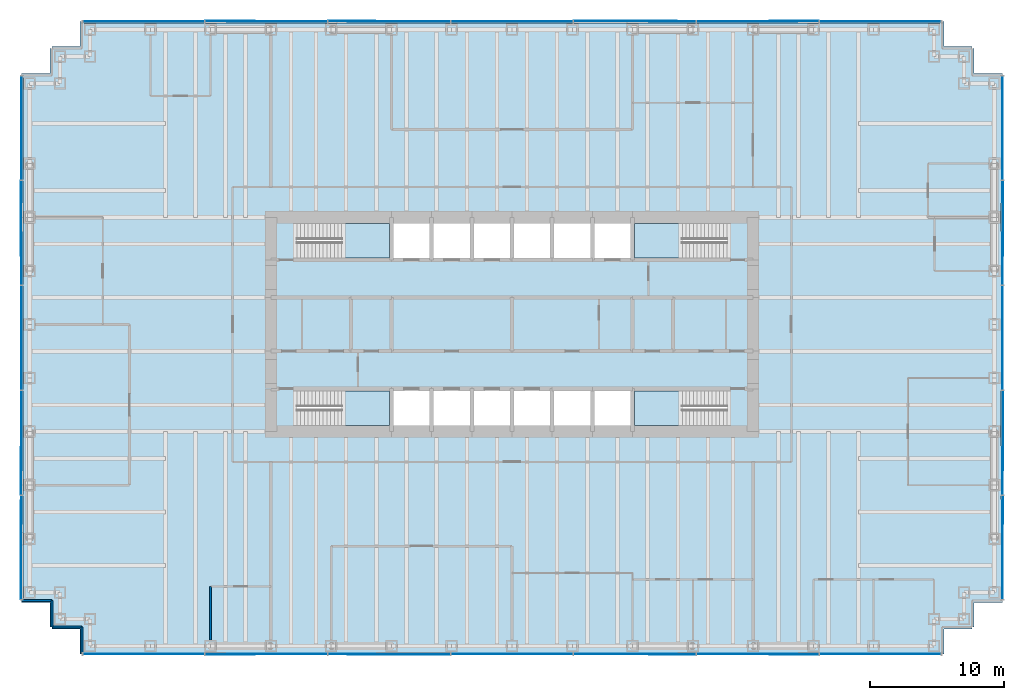
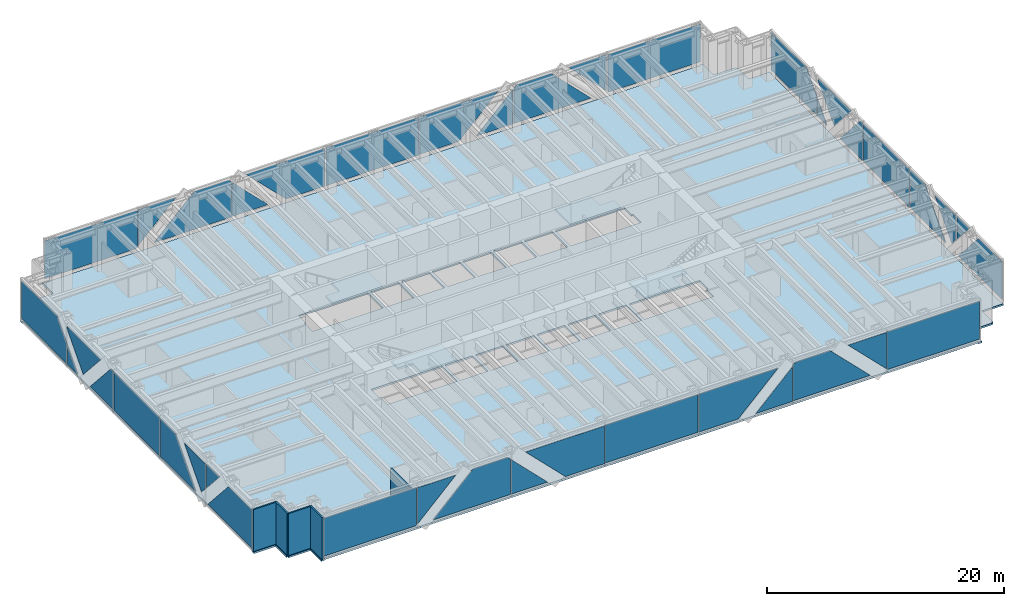
# One storey, part 8 of 13: 40 plates, 5 slabs, 5 walls, 8 elements without a shape of their own.
"""IFC4 building model written with IfcOpenShell, lengths in metres."""

import ifcopenshell
import ifcopenshell.guid

model = None  # the IFC model being written
_history = None  # IfcOwnerHistory: only IFC2X3 demands one
_inside = {}  # id of a spatial element -> (the spatial element, [elements in it])
_under = {}  # id of a project, library or spatial element -> (it, [spatial elements below it])
_declared = {}  # id of a project -> (the project, [libraries it declares])
_typed = {}  # id of a type object -> (the type object, [elements of that type])
_made_of = {}  # id of a material, layer set ... -> (it, [elements and type objects made of it])


def new_model(schema):
    """Start an empty IFC model of exactly this schema.

    Asked for "IFC4X3", IfcOpenShell would pick the latest addendum, in which some entities
    have other attributes; the version numbers below select the first issue.
    IFC2X3 requires an IfcOwnerHistory on every rooted entity: one is made here for all.
    """
    global model, _history
    if schema == "IFC4X3":
        model = ifcopenshell.file(schema_version=(4, 3, 0, 0))
    else:
        model = ifcopenshell.file(schema=schema)
    _inside.clear()
    _under.clear()
    _declared.clear()
    _typed.clear()
    _made_of.clear()
    _history = None
    if model.schema == "IFC2X3":
        org = make("IfcOrganization", Name="unknown")
        user = make(
            "IfcPersonAndOrganization",
            ThePerson=make("IfcPerson", FamilyName="unknown"),
            TheOrganization=org,
        )
        app = make(
            "IfcApplication",
            ApplicationDeveloper=org,
            Version="unknown",
            ApplicationFullName="unknown",
            ApplicationIdentifier="unknown",
        )
        _history = make(
            "IfcOwnerHistory",
            OwningUser=user,
            OwningApplication=app,
            ChangeAction="ADDED",
            CreationDate=0,
        )
    return model


def make(cls, **values):
    """One entity of the class cls with the attributes given. An attribute that is None is left unset."""
    return model.create_entity(
        cls, **{name: value for name, value in values.items() if value is not None}
    )


def rooted(cls, **values):
    """An entity with a GlobalId (a new one), such as an element, a storey or a relation."""
    return make(cls, GlobalId=ifcopenshell.guid.new(), OwnerHistory=_history, **values)


def si_unit(unit_type, name, prefix=None):
    """IfcSIUnit, for example si_unit("LENGTHUNIT", "METRE", prefix="MILLI")."""
    return make("IfcSIUnit", UnitType=unit_type, Prefix=prefix, Name=name)


def assignment(units):
    """IfcUnitAssignment: the units of a project."""
    return None if units is None else make("IfcUnitAssignment", Units=units)


def point(xyz):
    """IfcCartesianPoint."""
    return None if xyz is None else make("IfcCartesianPoint", Coordinates=xyz)


def direction(xyz):
    """IfcDirection."""
    return None if xyz is None else make("IfcDirection", DirectionRatios=xyz)


def frame(location, z_axis=None, x_axis=None):
    """IfcAxis2Placement3D, a coordinate frame: its origin and axes. An axis left out is left unset."""
    return make(
        "IfcAxis2Placement3D",
        Location=point(location),
        Axis=direction(z_axis),
        RefDirection=direction(x_axis),
    )


def frame_2d(location, x_axis=None):
    """IfcAxis2Placement2D, a coordinate frame in the plane: its origin and x axis."""
    return make(
        "IfcAxis2Placement2D", Location=point(location), RefDirection=direction(x_axis)
    )


def origin():
    """The frame at (0, 0, 0) with its axes left unset."""
    return frame((0.0, 0.0, 0.0))


def origin_2d():
    """The frame at (0, 0) in the plane with its x axis left unset."""
    return frame_2d((0.0, 0.0))


def place(relative_to, where):
    """IfcLocalPlacement: puts the frame where relative to a parent placement (None: the world)."""
    return make(
        "IfcLocalPlacement", PlacementRelTo=relative_to, RelativePlacement=where
    )


def context(
    kind, dimensions, precision=None, world=None, true_north=None, identifier=None
):
    """IfcGeometricRepresentationContext, for example the 3D "Model" context."""
    return make(
        "IfcGeometricRepresentationContext",
        ContextIdentifier=identifier,
        ContextType=kind,
        CoordinateSpaceDimension=dimensions,
        Precision=precision,
        WorldCoordinateSystem=world,
        TrueNorth=true_north,
    )


def subcontext(parent, identifier, kind, view, scale=None):
    """IfcGeometricRepresentationSubContext, for example "Body" below "Model"."""
    return make(
        "IfcGeometricRepresentationSubContext",
        ContextIdentifier=identifier,
        ContextType=kind,
        ParentContext=parent,
        TargetScale=scale,
        TargetView=view,
    )


def project(units=None, contexts=None):
    """IfcProject with its units and contexts."""
    return rooted(
        "IfcProject",
        Name="project",
        RepresentationContexts=contexts,
        UnitsInContext=assignment(units),
    )


def spatial(cls, under=None, at=None, **own):
    """A site, building, storey or space (cls), placed at a placement, below another one or the project."""
    s = rooted(cls, ObjectPlacement=at, **own)
    if under is not None:
        _under.setdefault(under.id(), (under, []))[1].append(s)
    return s


def polyline(points):
    """IfcPolyline through the points."""
    return make("IfcPolyline", Points=[point(p) for p in points])


def profile(cls, at=None, kind="AREA", **sizes):
    """A parametric profile (cls). Its sizes go by their IFC names, for example OverallWidth=200.0."""
    return make(cls, ProfileType=kind, Position=at, **sizes)


def rectangle(**sizes):
    """IfcRectangleProfileDef."""
    return profile("IfcRectangleProfileDef", **sizes)


def outline(outer, holes=None, kind="AREA"):
    """IfcArbitraryClosedProfileDef: a profile drawn as a closed curve; with holes, ...WithVoids."""
    if holes is None:
        return make("IfcArbitraryClosedProfileDef", ProfileType=kind, OuterCurve=outer)
    return make(
        "IfcArbitraryProfileDefWithVoids",
        ProfileType=kind,
        OuterCurve=outer,
        InnerCurves=holes,
    )


def extrude(swept, where, along, depth):
    """IfcExtrudedAreaSolid: the profile swept, set in the frame where, extruded along a direction by depth."""
    return make(
        "IfcExtrudedAreaSolid",
        SweptArea=swept,
        Position=where,
        ExtrudedDirection=direction(along),
        Depth=depth,
    )


def shape(context_of_items, identifier, shape_type, items):
    """IfcShapeRepresentation: the items that make up one representation, for example the "Body"."""
    return make(
        "IfcShapeRepresentation",
        ContextOfItems=context_of_items,
        RepresentationIdentifier=identifier,
        RepresentationType=shape_type,
        Items=items,
    )


def material(Name=None, Category=None):
    """IfcMaterial."""
    return make("IfcMaterial", Name=Name, Category=Category)


def layer(
    of_material, thickness, ventilated=None, Name=None, Category=None, Priority=None
):
    """IfcMaterialLayer: one layer of a wall or slab, of a material (None: an air gap)."""
    return make(
        "IfcMaterialLayer",
        Material=of_material,
        LayerThickness=thickness,
        IsVentilated=ventilated,
        Name=Name,
        Category=Category,
        Priority=Priority,
    )


def layer_set(layers, Name=None):
    """IfcMaterialLayerSet."""
    return make("IfcMaterialLayerSet", MaterialLayers=layers, LayerSetName=Name)


def made_of(thing, what):
    """Note that an element or type object is made of a material, layer set ...; save() writes the relation."""
    if what is not None:
        _made_of.setdefault(what.id(), (what, []))[1].append(thing)
    return thing


def type_object(cls, material=None, **own):
    """A type object (cls), such as IfcWallType, which elements share."""
    return made_of(rooted(cls, **own), material)


def element(
    cls,
    number,
    at=None,
    inside=None,
    cuts=None,
    type_object=None,
    material=None,
    context=None,
    identifier="Body",
    shape_type=None,
    held_by="IfcProductDefinitionShape",
    body=None,
    shapes=None,
    **own,
):
    """One element of the class cls, such as IfcWall. Its Tag is "e" and its number.

    at: its placement. inside: the storey or other place that contains it. cuts: it is an
    opening in that element (IfcRelVoidsElement). A single representation is given by context,
    identifier, shape_type and body (its items); several are given by shapes. held_by: the class
    of the entity that holds the representations. save() writes the other relations.
    """
    e = rooted(cls, Tag="e%d" % number, ObjectPlacement=at, **own)
    if body is not None:
        shapes = [shape(context, identifier, shape_type, body)]
    if shapes is not None:
        e.Representation = make(held_by, Representations=shapes)
    if inside is not None:
        _inside.setdefault(inside.id(), (inside, []))[1].append(e)
    if cuts is not None:
        rooted(
            "IfcRelVoidsElement", RelatingBuildingElement=cuts, RelatedOpeningElement=e
        )
    if type_object is not None:
        _typed.setdefault(type_object.id(), (type_object, []))[1].append(e)
    return made_of(e, material)


def aggregate(whole, parts):
    """IfcRelAggregates: a whole, such as a stair, and the parts it consists of."""
    return rooted("IfcRelAggregates", RelatingObject=whole, RelatedObjects=parts)


def save(model, path):
    """Write the relations noted so far, then the file.

    IfcRelAggregates (storeys below a building ...), IfcRelContainedInSpatialStructure (elements
    in a storey), IfcRelDefinesByType, IfcRelAssociatesMaterial and IfcRelDeclares: one each for
    every whole, place, type object, material and project.
    """
    for whole, parts in _under.values():
        aggregate(whole, parts)
    for where, things in _inside.values():
        rooted(
            "IfcRelContainedInSpatialStructure",
            RelatedElements=things,
            RelatingStructure=where,
        )
    for kind, things in _typed.values():
        rooted("IfcRelDefinesByType", RelatedObjects=things, RelatingType=kind)
    for what, things in _made_of.values():
        rooted("IfcRelAssociatesMaterial", RelatedObjects=things, RelatingMaterial=what)
    for by, libraries in _declared.values():
        rooted("IfcRelDeclares", RelatingContext=by, RelatedDefinitions=libraries)
    model.write(path)


model = new_model("IFC4")

# Units and contexts
model_context = context("Model", 3, precision=1e-05, world=origin(), true_north=direction((0.0, 1.0)))
body_context = subcontext(model_context, "Body", "Model", "MODEL_VIEW")
ifc_project = project(units=[si_unit("LENGTHUNIT", "METRE"), si_unit("AREAUNIT", "SQUARE_METRE"), si_unit("VOLUMEUNIT", "CUBIC_METRE"), si_unit("PLANEANGLEUNIT", "RADIAN"), si_unit("MASSUNIT", "GRAM", prefix="KILO")], contexts=[model_context])

# Site, building, storey
site_placement = place(None, origin())
site = spatial("IfcSite", under=ifc_project, at=site_placement, CompositionType="ELEMENT")
building_placement = place(site_placement, origin())
building = spatial("IfcBuilding", under=site, at=building_placement, Name="Rheinbord Bourse Tower", CompositionType="ELEMENT")
storey_placement = place(building_placement, frame((0.0, 0.0, 72.5)))
storey = spatial("IfcBuildingStorey", under=building, at=storey_placement, Name="L15", CompositionType="ELEMENT", Elevation=72.5)

# Slab
ifc_material_1 = material(Name="Concrete C30/37", Category="concrete")
ifc_layer_1 = layer(ifc_material_1, 0.179931640625)
ifc_layer_set_1 = layer_set([ifc_layer_1], Name="COMPOSITE FLOOR SLAB 180")
slab_type_1 = type_object("IfcSlabType", Name="COMPOSITE FLOOR SLAB 180", PredefinedType="FLOOR", material=ifc_layer_set_1)
slab_1_placement = place(storey_placement, frame((0.0, 0.0, -0.179931640625)))
element("IfcSlab", 1, at=slab_1_placement, inside=storey, type_object=slab_type_1, Name="Floor slab L15", PredefinedType="FLOOR", context=body_context, shape_type="SweptSolid", body=[
    extrude(outline(polyline([(1.64990234375, 1.39990234375), (1.5, 1.39990234375), (1.5, 3.25), (-0.60009765625, 3.25), (-0.60009765625, 3.550048828125), (-0.5, 3.550048828125), (-0.5, 42.449951171875), (-0.60009765625, 42.449951171875), (-0.60009765625, 42.75), (1.5, 42.75), (1.5, 44.60009765625), (1.64990234375, 44.60009765625), (1.64990234375, 44.75), (3.75, 44.75), (3.75, 46.60009765625), (4.050048828125, 46.60009765625), (4.050048828125, 46.5), (67.949951171875, 46.5), (67.949951171875, 46.60009765625), (68.25, 46.60009765625), (68.25, 44.75), (70.35009765625, 44.75), (70.35009765625, 44.60009765625), (70.5, 44.60009765625), (70.5, 42.75), (72.60009765625, 42.75), (72.60009765625, 42.449951171875), (72.5, 42.449951171875), (72.5, 3.550048828125), (72.60009765625, 3.550048828125), (72.60009765625, 3.25), (70.5, 3.25), (70.5, 1.39990234375), (70.35009765625, 1.39990234375), (70.35009765625, 1.25), (68.25, 1.25), (68.25, -0.60009765625), (67.949951171875, -0.60009765625), (67.949951171875, -0.5), (4.050048828125, -0.5), (4.050048828125, -0.60009765625), (3.75, -0.60009765625), (3.75, 1.25), (1.64990234375, 1.25), (1.64990234375, 1.39990234375)]), holes=[polyline([(19.949951171875, 19.050048828125), (26.85009765625, 19.050048828125), (26.85009765625, 16.449951171875), (20.10009765625, 16.449951171875), (20.10009765625, 17.64990234375), (19.949951171875, 17.64990234375), (19.949951171875, 19.050048828125)]), polyline([(26.85009765625, 31.550048828125), (26.85009765625, 28.949951171875), (19.949951171875, 28.949951171875), (19.949951171875, 30.35009765625), (20.10009765625, 30.35009765625), (20.10009765625, 31.550048828125), (26.85009765625, 31.550048828125)]), polyline([(45.14990234375, 16.449951171875), (45.14990234375, 19.050048828125), (52.050048828125, 19.050048828125), (52.050048828125, 17.64990234375), (51.89990234375, 17.64990234375), (51.89990234375, 16.449951171875), (45.14990234375, 16.449951171875)]), polyline([(52.050048828125, 28.949951171875), (45.14990234375, 28.949951171875), (45.14990234375, 31.550048828125), (51.89990234375, 31.550048828125), (51.89990234375, 30.35009765625), (52.050048828125, 30.35009765625), (52.050048828125, 28.949951171875)]), polyline([(27.14990234375, 16.449951171875), (27.14990234375, 19.050048828125), (29.85009765625, 19.050048828125), (29.85009765625, 16.449951171875), (27.14990234375, 16.449951171875)]), polyline([(27.14990234375, 28.949951171875), (27.14990234375, 31.550048828125), (29.85009765625, 31.550048828125), (29.85009765625, 28.949951171875), (27.14990234375, 28.949951171875)]), polyline([(30.14990234375, 16.449951171875), (30.14990234375, 19.050048828125), (32.85009765625, 19.050048828125), (32.85009765625, 16.449951171875), (30.14990234375, 16.449951171875)]), polyline([(30.14990234375, 28.949951171875), (30.14990234375, 31.550048828125), (32.85009765625, 31.550048828125), (32.85009765625, 28.949951171875), (30.14990234375, 28.949951171875)]), polyline([(33.14990234375, 16.449951171875), (33.14990234375, 19.050048828125), (35.85009765625, 19.050048828125), (35.85009765625, 16.449951171875), (33.14990234375, 16.449951171875)]), polyline([(33.14990234375, 28.949951171875), (33.14990234375, 31.550048828125), (35.85009765625, 31.550048828125), (35.85009765625, 28.949951171875), (33.14990234375, 28.949951171875)]), polyline([(36.14990234375, 16.449951171875), (36.14990234375, 19.050048828125), (38.85009765625, 19.050048828125), (38.85009765625, 16.449951171875), (36.14990234375, 16.449951171875)]), polyline([(36.14990234375, 28.949951171875), (36.14990234375, 31.550048828125), (38.85009765625, 31.550048828125), (38.85009765625, 28.949951171875), (36.14990234375, 28.949951171875)]), polyline([(39.14990234375, 16.449951171875), (39.14990234375, 19.050048828125), (41.85009765625, 19.050048828125), (41.85009765625, 16.449951171875), (39.14990234375, 16.449951171875)]), polyline([(39.14990234375, 28.949951171875), (39.14990234375, 31.550048828125), (41.85009765625, 31.550048828125), (41.85009765625, 28.949951171875), (39.14990234375, 28.949951171875)]), polyline([(42.14990234375, 16.449951171875), (42.14990234375, 19.050048828125), (44.85009765625, 19.050048828125), (44.85009765625, 16.449951171875), (42.14990234375, 16.449951171875)]), polyline([(42.14990234375, 28.949951171875), (42.14990234375, 31.550048828125), (44.85009765625, 31.550048828125), (44.85009765625, 28.949951171875), (42.14990234375, 28.949951171875)])]), origin(), (0.0, 0.0, 1.0), 0.179931640625),
])

# Curtain wall, plates
ifc_material_2 = material(Name="Dark glass and black aluminium", Category="aluminium")
curtain_wall_type = type_object("IfcCurtainWallType", Name="CW1 DARK GLASS CURTAIN WALL", PredefinedType="USERDEFINED", material=ifc_material_2)
curtain_wall_1_placement = place(storey_placement, origin())
curtain_wall_1 = element("IfcCurtainWall", 2, at=curtain_wall_1_placement, inside=storey, type_object=curtain_wall_type, Name="Curtain wall CW1 S L15", ObjectType="UNITISED CURTAIN WALL", PredefinedType="USERDEFINED")
ifc_material_3 = material(Name="Dark tinted triple insulating glass", Category="glass")
ifc_layer_2 = layer(ifc_material_3, 0.0439453125)
ifc_layer_set_2 = layer_set([ifc_layer_2], Name="CW1 DARK GLASS PANEL")
plate_type = type_object("IfcPlateType", Name="CW1 DARK GLASS PANEL", PredefinedType="CURTAIN_PANEL", material=ifc_layer_set_2)
plate_1_placement = place(storey_placement, frame((36.0, -0.60009765625, 0.300048828125), z_axis=(0.0, 0.0, 1.0), x_axis=(1.0, 0.0, 0.0)))
plate_1 = element("IfcPlate", 3, at=plate_1_placement, type_object=plate_type, Name="CW1 panel 4.1", PredefinedType="CURTAIN_PANEL", context=body_context, shape_type="SweptSolid", body=[
    extrude(rectangle(XDim=9.09130859375, YDim=0.0439453125, at=origin_2d()), origin(), (0.0, 0.0, 1.0), 3.89990234375),
])
plate_2_placement = place(storey_placement, frame((3.97998046875, -0.6220703125, 0.300048828125), z_axis=(0.0, 1.0, 0.0), x_axis=(0.0, 0.0, 1.0)))
plate_2 = element("IfcPlate", 4, at=plate_2_placement, type_object=plate_type, Name="CW1 glass facet 1", PredefinedType="CURTAIN_PANEL", context=body_context, shape_type="SweptSolid", body=[
    extrude(outline(polyline([(0.0, 0.0), (3.89990234375, 0.0), (3.89990234375, 9.051025390625), (0.0869140625, 9.051025390625), (0.0, 8.964111328125), (0.0, 0.0)])), origin(), (0.0, 0.0, 1.0), 0.0439453125),
])
plate_3_placement = place(storey_placement, frame((13.111083984375, -0.6708984375, 4.199951171875), z_axis=(0.0, 1.0, 0.0), x_axis=(1.0, 0.0, 0.0)))
plate_3 = element("IfcPlate", 5, at=plate_3_placement, type_object=plate_type, Name="CW1 glass facet 1", PredefinedType="CURTAIN_PANEL", context=body_context, shape_type="SweptSolid", body=[
    extrude(outline(polyline([(0.0, 0.0), (3.73291015625, 0.0), (0.0, 3.73291015625), (0.0, 0.0)])), origin(), (0.0, 0.0, 1.0), 0.0439453125),
])
plate_4_placement = place(storey_placement, frame((22.202880859375, -0.6220703125, 0.300048828125), z_axis=(0.0, 1.0, 0.0), x_axis=(-1.0, 0.0, 0.0)))
plate_4 = element("IfcPlate", 6, at=plate_4_placement, type_object=plate_type, Name="CW1 glass facet 2", PredefinedType="CURTAIN_PANEL", context=body_context, shape_type="SweptSolid", body=[
    extrude(outline(polyline([(0.0, 0.0), (7.546875, 0.0), (3.64697265625, 3.89990234375), (0.2587890625, 3.89990234375), (0.0, 3.641845703125), (0.0, 0.0)])), origin(), (0.0, 0.0, 1.0), 0.0439453125),
])
plate_5_placement = place(storey_placement, frame((22.282958984375, -0.6220703125, 0.300048828125), z_axis=(0.0, 1.0, 0.0), x_axis=(0.0, 0.0, 1.0)))
plate_5 = element("IfcPlate", 7, at=plate_5_placement, type_object=plate_type, Name="CW1 glass facet 1", PredefinedType="CURTAIN_PANEL", context=body_context, shape_type="SweptSolid", body=[
    extrude(outline(polyline([(0.0, 0.0), (3.56201171875, 0.0), (0.0, 3.56103515625), (0.0, 0.0)])), origin(), (0.0, 0.0, 1.0), 0.0439453125),
])
plate_6_placement = place(storey_placement, frame((31.3740234375, -0.6708984375, 4.199951171875), z_axis=(0.0, 1.0, 0.0), x_axis=(0.0, 0.0, -1.0)))
plate_6 = element("IfcPlate", 8, at=plate_6_placement, type_object=plate_type, Name="CW1 glass facet 2", PredefinedType="CURTAIN_PANEL", context=body_context, shape_type="SweptSolid", body=[
    extrude(outline(polyline([(0.0, 0.0), (3.89990234375, 0.0), (3.89990234375, 3.818115234375), (0.0, 7.718017578125), (0.0, 0.0)])), origin(), (0.0, 0.0, 1.0), 0.0439453125),
])
plate_7_placement = place(storey_placement, frame((40.6259765625, -0.6220703125, 0.300048828125), z_axis=(0.0, 1.0, 0.0), x_axis=(0.0, 0.0, 1.0)))
plate_7 = element("IfcPlate", 9, at=plate_7_placement, type_object=plate_type, Name="CW1 glass facet 1", PredefinedType="CURTAIN_PANEL", context=body_context, shape_type="SweptSolid", body=[
    extrude(outline(polyline([(0.0, 0.0), (3.89990234375, 0.0), (3.89990234375, 7.718017578125), (0.0, 3.818115234375), (0.0, 0.0)])), origin(), (0.0, 0.0, 1.0), 0.0439453125),
])
plate_8_placement = place(storey_placement, frame((49.717041015625, -0.6708984375, 0.300048828125), z_axis=(0.0, 1.0, 0.0), x_axis=(-1.0, 0.0, 0.0)))
plate_8 = element("IfcPlate", 10, at=plate_8_placement, type_object=plate_type, Name="CW1 glass facet 2", PredefinedType="CURTAIN_PANEL", context=body_context, shape_type="SweptSolid", body=[
    extrude(outline(polyline([(0.0, 0.0), (3.56103515625, 0.0), (0.0, 3.56201171875), (0.0, 0.0)])), origin(), (0.0, 0.0, 1.0), 0.0439453125),
])
plate_9_placement = place(storey_placement, frame((49.797119140625, -0.6220703125, 0.300048828125), z_axis=(0.0, 1.0, 0.0), x_axis=(0.0, 0.0, 1.0)))
plate_9 = element("IfcPlate", 11, at=plate_9_placement, type_object=plate_type, Name="CW1 glass facet 1", PredefinedType="CURTAIN_PANEL", context=body_context, shape_type="SweptSolid", body=[
    extrude(outline(polyline([(0.0, 0.0), (3.641845703125, 0.0), (3.89990234375, 0.2587890625), (3.89990234375, 3.64697265625), (0.0, 7.546875), (0.0, 0.0)])), origin(), (0.0, 0.0, 1.0), 0.0439453125),
])
plate_10_placement = place(storey_placement, frame((58.888916015625, -0.6708984375, 4.199951171875), z_axis=(0.0, 1.0, 0.0), x_axis=(0.0, 0.0, -1.0)))
plate_10 = element("IfcPlate", 12, at=plate_10_placement, type_object=plate_type, Name="CW1 glass facet 2", PredefinedType="CURTAIN_PANEL", context=body_context, shape_type="SweptSolid", body=[
    extrude(outline(polyline([(0.0, 0.0), (3.73291015625, 0.0), (0.0, 3.73291015625), (0.0, 0.0)])), origin(), (0.0, 0.0, 1.0), 0.0439453125),
])
plate_11_placement = place(storey_placement, frame((58.968994140625, -0.6220703125, 4.199951171875), z_axis=(0.0, 1.0, 0.0), x_axis=(1.0, 0.0, 0.0)))
plate_11 = element("IfcPlate", 13, at=plate_11_placement, type_object=plate_type, Name="CW1 glass facet 1", PredefinedType="CURTAIN_PANEL", context=body_context, shape_type="SweptSolid", body=[
    extrude(outline(polyline([(0.0, 0.0), (9.051025390625, 0.0), (9.051025390625, 3.89990234375), (0.0869140625, 3.89990234375), (0.0, 3.81298828125), (0.0, 0.0)])), origin(), (0.0, 0.0, 1.0), 0.0439453125),
])
aggregate(curtain_wall_1, [plate_1, plate_2, plate_3, plate_4, plate_5, plate_6, plate_7, plate_8, plate_9, plate_10, plate_11])

curtain_wall_2_placement = place(storey_placement, origin())
curtain_wall_2 = element("IfcCurtainWall", 14, at=curtain_wall_2_placement, inside=storey, type_object=curtain_wall_type, Name="Curtain wall CW1 E L15", ObjectType="UNITISED CURTAIN WALL", PredefinedType="USERDEFINED")
plate_12_placement = place(storey_placement, frame((72.60009765625, 23.0, 0.300048828125), z_axis=(0.0, 0.0, 1.0), x_axis=(0.0, 1.0, 0.0)))
plate_12 = element("IfcPlate", 15, at=plate_12_placement, type_object=plate_type, Name="CW1 panel 3.1", PredefinedType="CURTAIN_PANEL", context=body_context, shape_type="SweptSolid", body=[
    extrude(rectangle(XDim=7.760009765625, YDim=0.0439453125, at=origin_2d()), origin(), (0.0, 0.0, 1.0), 3.89990234375),
])
plate_13_placement = place(storey_placement, frame((72.6220703125, 3.47998046875, 0.300048828125), z_axis=(-1.0, 0.0, 0.0), x_axis=(0.0, 0.0, 1.0)))
plate_13 = element("IfcPlate", 16, at=plate_13_placement, type_object=plate_type, Name="CW1 glass facet 1", PredefinedType="CURTAIN_PANEL", context=body_context, shape_type="SweptSolid", body=[
    extrude(outline(polyline([(0.0, 0.0), (3.89990234375, 0.0), (3.89990234375, 3.97705078125), (0.0, 7.444091796875), (0.0, 0.0)])), origin(), (0.0, 0.0, 1.0), 0.0439453125),
])
plate_14_placement = place(storey_placement, frame((72.6708984375, 11.199951171875, 4.199951171875), z_axis=(-1.0, 0.0, 0.0), x_axis=(0.0, 0.0, -1.0)))
plate_14 = element("IfcPlate", 17, at=plate_14_placement, type_object=plate_type, Name="CW1 glass facet 2", PredefinedType="CURTAIN_PANEL", context=body_context, shape_type="SweptSolid", body=[
    extrude(outline(polyline([(0.0, 0.0), (2.388916015625, 0.0), (0.0, 2.1240234375), (0.0, 0.0)])), origin(), (0.0, 0.0, 1.0), 0.0439453125),
])
plate_15_placement = place(storey_placement, frame((72.6220703125, 11.280029296875, 4.199951171875), z_axis=(-1.0, 0.0, 0.0), x_axis=(0.0, 1.0, 0.0)))
plate_15 = element("IfcPlate", 18, at=plate_15_placement, type_object=plate_type, Name="CW1 glass facet 1", PredefinedType="CURTAIN_PANEL", context=body_context, shape_type="SweptSolid", body=[
    extrude(outline(polyline([(0.0, 0.0), (3.64404296875, 0.0), (0.719970703125, 3.2890625), (0.0, 2.47900390625), (0.0, 0.0)])), origin(), (0.0, 0.0, 1.0), 0.0439453125),
])
plate_16_placement = place(storey_placement, frame((72.6708984375, 19.0400390625, 4.199951171875), z_axis=(-1.0, 0.0, 0.0), x_axis=(0.0, 0.0, -1.0)))
plate_16 = element("IfcPlate", 19, at=plate_16_placement, type_object=plate_type, Name="CW1 glass facet 2", PredefinedType="CURTAIN_PANEL", context=body_context, shape_type="SweptSolid", body=[
    extrude(outline(polyline([(0.0, 0.0), (3.89990234375, 0.0), (3.89990234375, 5.964111328125), (0.0, 2.4970703125), (0.0, 0.0)])), origin(), (0.0, 0.0, 1.0), 0.0439453125),
])
plate_17_placement = place(storey_placement, frame((72.6220703125, 26.9599609375, 0.300048828125), z_axis=(-1.0, 0.0, 0.0), x_axis=(0.0, 0.0, 1.0)))
plate_17 = element("IfcPlate", 20, at=plate_17_placement, type_object=plate_type, Name="CW1 glass facet 1", PredefinedType="CURTAIN_PANEL", context=body_context, shape_type="SweptSolid", body=[
    extrude(outline(polyline([(0.0, 0.0), (3.89990234375, 0.0), (3.89990234375, 0.4970703125), (0.0, 3.964111328125), (0.0, 0.0)])), origin(), (0.0, 0.0, 1.0), 0.0439453125),
])
plate_18_placement = place(storey_placement, frame((72.6708984375, 34.719970703125, 4.199951171875), z_axis=(-1.0, 0.0, 0.0), x_axis=(0.0, 0.0, -1.0)))
plate_18 = element("IfcPlate", 21, at=plate_18_placement, type_object=plate_type, Name="CW1 glass facet 2", PredefinedType="CURTAIN_PANEL", context=body_context, shape_type="SweptSolid", body=[
    extrude(outline(polyline([(0.0, 0.0), (0.22900390625, 0.0), (3.2890625, 2.719970703125), (0.0, 5.64404296875), (0.0, 0.0)])), origin(), (0.0, 0.0, 1.0), 0.0439453125),
])
plate_19_placement = place(storey_placement, frame((72.6220703125, 34.719970703125, 0.300048828125), z_axis=(-1.0, 0.0, 0.0), x_axis=(0.0, -1.0, 0.0)))
plate_19 = element("IfcPlate", 22, at=plate_19_placement, type_object=plate_type, Name="CW1 glass facet 3", PredefinedType="CURTAIN_PANEL", context=body_context, shape_type="SweptSolid", body=[
    extrude(outline(polyline([(0.0, 0.0), (1.64404296875, 0.0), (0.0, 1.848876953125), (0.0, 0.0)])), origin(), (0.0, 0.0, 1.0), 0.0439453125),
])
plate_20_placement = place(storey_placement, frame((72.6220703125, 42.52001953125, 4.199951171875), z_axis=(-1.0, 0.0, 0.0), x_axis=(0.0, 0.0, -1.0)))
plate_20 = element("IfcPlate", 23, at=plate_20_placement, type_object=plate_type, Name="CW1 glass facet 1", PredefinedType="CURTAIN_PANEL", context=body_context, shape_type="SweptSolid", body=[
    extrude(outline(polyline([(0.0, 0.0), (3.89990234375, 0.0), (3.89990234375, 7.719970703125), (1.9609375, 7.719970703125), (0.0, 5.97705078125), (0.0, 0.0)])), origin(), (0.0, 0.0, 1.0), 0.0439453125),
])
aggregate(curtain_wall_2, [plate_12, plate_13, plate_14, plate_15, plate_16, plate_17, plate_18, plate_19, plate_20])

curtain_wall_3_placement = place(storey_placement, origin())
curtain_wall_3 = element("IfcCurtainWall", 24, at=curtain_wall_3_placement, inside=storey, type_object=curtain_wall_type, Name="Curtain wall CW1 N L15", ObjectType="UNITISED CURTAIN WALL", PredefinedType="USERDEFINED")
plate_21_placement = place(storey_placement, frame((36.0, 46.60009765625, 0.300048828125), z_axis=(0.0, 0.0, 1.0), x_axis=(-1.0, 0.0, 0.0)))
plate_21 = element("IfcPlate", 25, at=plate_21_placement, type_object=plate_type, Name="CW1 panel 4.1", PredefinedType="CURTAIN_PANEL", context=body_context, shape_type="SweptSolid", body=[
    extrude(rectangle(XDim=9.09130859375, YDim=0.0439453125, at=origin_2d()), origin(), (0.0, 0.0, 1.0), 3.89990234375),
])
plate_22_placement = place(storey_placement, frame((68.02001953125, 46.6220703125, 0.300048828125), z_axis=(0.0, -1.0, 0.0), x_axis=(0.0, 0.0, 1.0)))
plate_22 = element("IfcPlate", 26, at=plate_22_placement, type_object=plate_type, Name="CW1 glass facet 1", PredefinedType="CURTAIN_PANEL", context=body_context, shape_type="SweptSolid", body=[
    extrude(outline(polyline([(0.0, 0.0), (3.89990234375, 0.0), (3.89990234375, 9.051025390625), (0.0869140625, 9.051025390625), (0.0, 8.964111328125), (0.0, 0.0)])), origin(), (0.0, 0.0, 1.0), 0.0439453125),
])
plate_23_placement = place(storey_placement, frame((58.888916015625, 46.6708984375, 4.199951171875), z_axis=(0.0, -1.0, 0.0), x_axis=(-1.0, 0.0, 0.0)))
plate_23 = element("IfcPlate", 27, at=plate_23_placement, type_object=plate_type, Name="CW1 glass facet 1", PredefinedType="CURTAIN_PANEL", context=body_context, shape_type="SweptSolid", body=[
    extrude(outline(polyline([(0.0, 0.0), (3.73291015625, 0.0), (0.0, 3.73291015625), (0.0, 0.0)])), origin(), (0.0, 0.0, 1.0), 0.0439453125),
])
plate_24_placement = place(storey_placement, frame((49.797119140625, 46.6220703125, 0.300048828125), z_axis=(0.0, -1.0, 0.0), x_axis=(1.0, 0.0, 0.0)))
plate_24 = element("IfcPlate", 28, at=plate_24_placement, type_object=plate_type, Name="CW1 glass facet 2", PredefinedType="CURTAIN_PANEL", context=body_context, shape_type="SweptSolid", body=[
    extrude(outline(polyline([(0.0, 0.0), (7.546875, 0.0), (3.64697265625, 3.89990234375), (0.2587890625, 3.89990234375), (0.0, 3.641845703125), (0.0, 0.0)])), origin(), (0.0, 0.0, 1.0), 0.0439453125),
])
plate_25_placement = place(storey_placement, frame((49.717041015625, 46.6220703125, 0.300048828125), z_axis=(0.0, -1.0, 0.0), x_axis=(0.0, 0.0, 1.0)))
plate_25 = element("IfcPlate", 29, at=plate_25_placement, type_object=plate_type, Name="CW1 glass facet 1", PredefinedType="CURTAIN_PANEL", context=body_context, shape_type="SweptSolid", body=[
    extrude(outline(polyline([(0.0, 0.0), (3.56201171875, 0.0), (0.0, 3.56103515625), (0.0, 0.0)])), origin(), (0.0, 0.0, 1.0), 0.0439453125),
])
plate_26_placement = place(storey_placement, frame((40.6259765625, 46.6708984375, 4.199951171875), z_axis=(0.0, -1.0, 0.0), x_axis=(0.0, 0.0, -1.0)))
plate_26 = element("IfcPlate", 30, at=plate_26_placement, type_object=plate_type, Name="CW1 glass facet 2", PredefinedType="CURTAIN_PANEL", context=body_context, shape_type="SweptSolid", body=[
    extrude(outline(polyline([(0.0, 0.0), (3.89990234375, 0.0), (3.89990234375, 3.818115234375), (0.0, 7.718017578125), (0.0, 0.0)])), origin(), (0.0, 0.0, 1.0), 0.0439453125),
])
plate_27_placement = place(storey_placement, frame((31.3740234375, 46.6220703125, 0.300048828125), z_axis=(0.0, -1.0, 0.0), x_axis=(0.0, 0.0, 1.0)))
plate_27 = element("IfcPlate", 31, at=plate_27_placement, type_object=plate_type, Name="CW1 glass facet 1", PredefinedType="CURTAIN_PANEL", context=body_context, shape_type="SweptSolid", body=[
    extrude(outline(polyline([(0.0, 0.0), (3.89990234375, 0.0), (3.89990234375, 7.718017578125), (0.0, 3.818115234375), (0.0, 0.0)])), origin(), (0.0, 0.0, 1.0), 0.0439453125),
])
plate_28_placement = place(storey_placement, frame((22.282958984375, 46.6708984375, 0.300048828125), z_axis=(0.0, -1.0, 0.0), x_axis=(1.0, 0.0, 0.0)))
plate_28 = element("IfcPlate", 32, at=plate_28_placement, type_object=plate_type, Name="CW1 glass facet 2", PredefinedType="CURTAIN_PANEL", context=body_context, shape_type="SweptSolid", body=[
    extrude(outline(polyline([(0.0, 0.0), (3.56103515625, 0.0), (0.0, 3.56201171875), (0.0, 0.0)])), origin(), (0.0, 0.0, 1.0), 0.0439453125),
])
plate_29_placement = place(storey_placement, frame((22.202880859375, 46.6220703125, 0.300048828125), z_axis=(0.0, -1.0, 0.0), x_axis=(0.0, 0.0, 1.0)))
plate_29 = element("IfcPlate", 33, at=plate_29_placement, type_object=plate_type, Name="CW1 glass facet 1", PredefinedType="CURTAIN_PANEL", context=body_context, shape_type="SweptSolid", body=[
    extrude(outline(polyline([(0.0, 0.0), (3.641845703125, 0.0), (3.89990234375, 0.2587890625), (3.89990234375, 3.64697265625), (0.0, 7.546875), (0.0, 0.0)])), origin(), (0.0, 0.0, 1.0), 0.0439453125),
])
plate_30_placement = place(storey_placement, frame((13.111083984375, 46.6708984375, 4.199951171875), z_axis=(0.0, -1.0, 0.0), x_axis=(0.0, 0.0, -1.0)))
plate_30 = element("IfcPlate", 34, at=plate_30_placement, type_object=plate_type, Name="CW1 glass facet 2", PredefinedType="CURTAIN_PANEL", context=body_context, shape_type="SweptSolid", body=[
    extrude(outline(polyline([(0.0, 0.0), (3.73291015625, 0.0), (0.0, 3.73291015625), (0.0, 0.0)])), origin(), (0.0, 0.0, 1.0), 0.0439453125),
])
plate_31_placement = place(storey_placement, frame((13.031005859375, 46.6220703125, 4.199951171875), z_axis=(0.0, -1.0, 0.0), x_axis=(-1.0, 0.0, 0.0)))
plate_31 = element("IfcPlate", 35, at=plate_31_placement, type_object=plate_type, Name="CW1 glass facet 1", PredefinedType="CURTAIN_PANEL", context=body_context, shape_type="SweptSolid", body=[
    extrude(outline(polyline([(0.0, 0.0), (9.051025390625, 0.0), (9.051025390625, 3.89990234375), (0.0869140625, 3.89990234375), (0.0, 3.81298828125), (0.0, 0.0)])), origin(), (0.0, 0.0, 1.0), 0.0439453125),
])
aggregate(curtain_wall_3, [plate_21, plate_22, plate_23, plate_24, plate_25, plate_26, plate_27, plate_28, plate_29, plate_30, plate_31])

curtain_wall_4_placement = place(storey_placement, origin())
curtain_wall_4 = element("IfcCurtainWall", 36, at=curtain_wall_4_placement, inside=storey, type_object=curtain_wall_type, Name="Curtain wall CW1 W L15", ObjectType="UNITISED CURTAIN WALL", PredefinedType="USERDEFINED")
plate_32_placement = place(storey_placement, frame((-0.60009765625, 23.0, 0.300048828125), z_axis=(0.0, 0.0, 1.0), x_axis=(0.0, -1.0, 0.0)))
plate_32 = element("IfcPlate", 37, at=plate_32_placement, type_object=plate_type, Name="CW1 panel 3.1", PredefinedType="CURTAIN_PANEL", context=body_context, shape_type="SweptSolid", body=[
    extrude(rectangle(XDim=7.760009765625, YDim=0.0439453125, at=origin_2d()), origin(), (0.0, 0.0, 1.0), 3.89990234375),
])
plate_33_placement = place(storey_placement, frame((-0.6220703125, 34.800048828125, 0.300048828125), z_axis=(1.0, 0.0, 0.0), x_axis=(0.0, 1.0, 0.0)))
plate_33 = element("IfcPlate", 38, at=plate_33_placement, type_object=plate_type, Name="CW1 glass facet 1", PredefinedType="CURTAIN_PANEL", context=body_context, shape_type="SweptSolid", body=[
    extrude(outline(polyline([(0.0, 0.0), (7.719970703125, 0.0), (7.719970703125, 3.89990234375), (1.742919921875, 3.89990234375), (0.0, 1.93896484375), (0.0, 0.0)])), origin(), (0.0, 0.0, 1.0), 0.0439453125),
])
plate_34_placement = place(storey_placement, frame((-0.6220703125, 34.719970703125, 0.300048828125), z_axis=(1.0, 0.0, 0.0), x_axis=(0.0, 0.0, 1.0)))
plate_34 = element("IfcPlate", 39, at=plate_34_placement, type_object=plate_type, Name="CW1 glass facet 1", PredefinedType="CURTAIN_PANEL", context=body_context, shape_type="SweptSolid", body=[
    extrude(outline(polyline([(0.0, 0.0), (1.848876953125, 0.0), (0.0, 1.64404296875), (0.0, 0.0)])), origin(), (0.0, 0.0, 1.0), 0.0439453125),
])
plate_35_placement = place(storey_placement, frame((-0.6708984375, 34.719970703125, 4.199951171875), z_axis=(1.0, 0.0, 0.0), x_axis=(0.0, -1.0, 0.0)))
plate_35 = element("IfcPlate", 40, at=plate_35_placement, type_object=plate_type, Name="CW1 glass facet 2", PredefinedType="CURTAIN_PANEL", context=body_context, shape_type="SweptSolid", body=[
    extrude(outline(polyline([(0.0, 0.0), (5.64404296875, 0.0), (2.719970703125, 3.2890625), (0.0, 0.22900390625), (0.0, 0.0)])), origin(), (0.0, 0.0, 1.0), 0.0439453125),
])
plate_36_placement = place(storey_placement, frame((-0.6220703125, 26.9599609375, 4.199951171875), z_axis=(1.0, 0.0, 0.0), x_axis=(0.0, 0.0, -1.0)))
plate_36 = element("IfcPlate", 41, at=plate_36_placement, type_object=plate_type, Name="CW1 glass facet 3", PredefinedType="CURTAIN_PANEL", context=body_context, shape_type="SweptSolid", body=[
    extrude(outline(polyline([(0.0, 0.0), (3.89990234375, 0.0), (3.89990234375, 3.964111328125), (0.0, 0.4970703125), (0.0, 0.0)])), origin(), (0.0, 0.0, 1.0), 0.0439453125),
])
plate_37_placement = place(storey_placement, frame((-0.6220703125, 19.0400390625, 0.300048828125), z_axis=(1.0, 0.0, 0.0), x_axis=(0.0, 0.0, 1.0)))
plate_37 = element("IfcPlate", 42, at=plate_37_placement, type_object=plate_type, Name="CW1 glass facet 1", PredefinedType="CURTAIN_PANEL", context=body_context, shape_type="SweptSolid", body=[
    extrude(outline(polyline([(0.0, 0.0), (3.89990234375, 0.0), (3.89990234375, 2.4970703125), (0.0, 5.964111328125), (0.0, 0.0)])), origin(), (0.0, 0.0, 1.0), 0.0439453125),
])
plate_38_placement = place(storey_placement, frame((-0.6708984375, 11.280029296875, 4.199951171875), z_axis=(1.0, 0.0, 0.0), x_axis=(0.0, 0.0, -1.0)))
plate_38 = element("IfcPlate", 43, at=plate_38_placement, type_object=plate_type, Name="CW1 glass facet 2", PredefinedType="CURTAIN_PANEL", context=body_context, shape_type="SweptSolid", body=[
    extrude(outline(polyline([(0.0, 0.0), (2.47900390625, 0.0), (3.2890625, 0.719970703125), (0.0, 3.64404296875), (0.0, 0.0)])), origin(), (0.0, 0.0, 1.0), 0.0439453125),
])
plate_39_placement = place(storey_placement, frame((-0.6220703125, 11.199951171875, 4.199951171875), z_axis=(1.0, 0.0, 0.0), x_axis=(0.0, -1.0, 0.0)))
plate_39 = element("IfcPlate", 44, at=plate_39_placement, type_object=plate_type, Name="CW1 glass facet 1", PredefinedType="CURTAIN_PANEL", context=body_context, shape_type="SweptSolid", body=[
    extrude(outline(polyline([(0.0, 0.0), (2.1240234375, 0.0), (0.0, 2.388916015625), (0.0, 0.0)])), origin(), (0.0, 0.0, 1.0), 0.0439453125),
])
plate_40_placement = place(storey_placement, frame((-0.6708984375, 3.47998046875, 4.199951171875), z_axis=(1.0, 0.0, 0.0), x_axis=(0.0, 0.0, -1.0)))
plate_40 = element("IfcPlate", 45, at=plate_40_placement, type_object=plate_type, Name="CW1 glass facet 2", PredefinedType="CURTAIN_PANEL", context=body_context, shape_type="SweptSolid", body=[
    extrude(outline(polyline([(0.0, 0.0), (3.89990234375, 0.0), (3.89990234375, 7.444091796875), (0.0, 3.97705078125), (0.0, 0.0)])), origin(), (0.0, 0.0, 1.0), 0.0439453125),
])
aggregate(curtain_wall_4, [plate_32, plate_33, plate_34, plate_35, plate_36, plate_37, plate_38, plate_39, plate_40])

# Stair, slab
ifc_material_4 = material(Name="Concrete C30/37", Category="concrete")
stair_type = type_object("IfcStairType", Name="CORE STAIR HALF TURN 4500", PredefinedType="HALF_TURN_STAIR", material=ifc_material_4)
stair_1_placement = place(storey_placement, origin())
stair_1 = element("IfcStair", 46, at=stair_1_placement, inside=storey, type_object=stair_type, Name="Stair ST1 L15, type CS4", PredefinedType="HALF_TURN_STAIR")
ifc_material_5 = material(Name="Concrete C30/37", Category="concrete")
ifc_layer_3 = layer(ifc_material_5, 0.199951171875)
ifc_layer_set_3 = layer_set([ifc_layer_3], Name="STAIR LANDING 200")
slab_type_2 = type_object("IfcSlabType", Name="STAIR LANDING 200", PredefinedType="LANDING", material=ifc_layer_set_3)
slab_2_placement = place(storey_placement, frame((0.0, 0.0, 2.050048828125)))
slab_2 = element("IfcSlab", 47, at=slab_2_placement, type_object=slab_type_2, Name="Half landing ST1 L15", PredefinedType="LANDING", context=body_context, shape_type="SweptSolid", body=[
    extrude(outline(polyline([(23.31005859375, 16.449951171875), (26.85009765625, 16.449951171875), (26.85009765625, 19.050048828125), (21.916015625, 19.050048828125), (21.916015625, 17.85009765625), (23.31005859375, 17.85009765625), (23.31005859375, 16.449951171875)])), origin(), (0.0, 0.0, 1.0), 0.199951171875),
])
aggregate(stair_1, [slab_2])

stair_2_placement = place(storey_placement, origin())
stair_2 = element("IfcStair", 48, at=stair_2_placement, inside=storey, type_object=stair_type, Name="Stair ST2 L15, type CS4", PredefinedType="HALF_TURN_STAIR")
slab_3_placement = place(storey_placement, frame((0.0, 0.0, 2.050048828125)))
slab_3 = element("IfcSlab", 49, at=slab_3_placement, type_object=slab_type_2, Name="Half landing ST2 L15", PredefinedType="LANDING", context=body_context, shape_type="SweptSolid", body=[
    extrude(outline(polyline([(21.916015625, 28.949951171875), (26.85009765625, 28.949951171875), (26.85009765625, 31.550048828125), (23.31005859375, 31.550048828125), (23.31005859375, 30.14990234375), (21.916015625, 30.14990234375), (21.916015625, 28.949951171875)])), origin(), (0.0, 0.0, 1.0), 0.199951171875),
])
aggregate(stair_2, [slab_3])

stair_3_placement = place(storey_placement, origin())
stair_3 = element("IfcStair", 50, at=stair_3_placement, inside=storey, type_object=stair_type, Name="Stair ST3 L15, type CS4", PredefinedType="HALF_TURN_STAIR")
slab_4_placement = place(storey_placement, frame((0.0, 0.0, 2.050048828125)))
slab_4 = element("IfcSlab", 51, at=slab_4_placement, type_object=slab_type_2, Name="Half landing ST3 L15", PredefinedType="LANDING", context=body_context, shape_type="SweptSolid", body=[
    extrude(outline(polyline([(45.14990234375, 16.449951171875), (48.68994140625, 16.449951171875), (48.68994140625, 17.85009765625), (50.083984375, 17.85009765625), (50.083984375, 19.050048828125), (45.14990234375, 19.050048828125), (45.14990234375, 16.449951171875)])), origin(), (0.0, 0.0, 1.0), 0.199951171875),
])
aggregate(stair_3, [slab_4])

stair_4_placement = place(storey_placement, origin())
stair_4 = element("IfcStair", 52, at=stair_4_placement, inside=storey, type_object=stair_type, Name="Stair ST4 L15, type CS4", PredefinedType="HALF_TURN_STAIR")
slab_5_placement = place(storey_placement, frame((0.0, 0.0, 2.050048828125)))
slab_5 = element("IfcSlab", 53, at=slab_5_placement, type_object=slab_type_2, Name="Half landing ST4 L15", PredefinedType="LANDING", context=body_context, shape_type="SweptSolid", body=[
    extrude(outline(polyline([(45.14990234375, 28.949951171875), (50.083984375, 28.949951171875), (50.083984375, 30.14990234375), (48.68994140625, 30.14990234375), (48.68994140625, 31.550048828125), (45.14990234375, 31.550048828125), (45.14990234375, 28.949951171875)])), origin(), (0.0, 0.0, 1.0), 0.199951171875),
])
aggregate(stair_4, [slab_5])

# Walls
ifc_material_6 = material(Name="Black metal rainscreen panel", Category="aluminium")
ifc_layer_4 = layer(ifc_material_6, 0.14990234375)
ifc_layer_set_4 = layer_set([ifc_layer_4], Name="CORNER PIER CLADDING 150")
wall_type_1 = type_object("IfcWallType", Name="CORNER PIER CLADDING 150", PredefinedType="ELEMENTEDWALL", material=ifc_layer_set_4)
wall_1_placement = place(storey_placement, frame((-0.60009765625, 3.39990234375, 0.0), z_axis=(0.0, 0.0, 1.0), x_axis=(1.0, 0.0, 0.0)))
element("IfcWall", 54, at=wall_1_placement, inside=storey, type_object=wall_type_1, Name="Corner pier cladding L15 17", PredefinedType="ELEMENTEDWALL", context=body_context, shape_type="SweptSolid", body=[
    extrude(rectangle(XDim=2.25, YDim=0.14990234375, at=frame_2d((1.125, 0.0))), origin(), (0.0, 0.0, 1.0), 4.320068359375),
])
wall_2_placement = place(storey_placement, frame((1.64990234375, 3.39990234375, 0.0), z_axis=(0.0, 0.0, 1.0), x_axis=(0.0, -1.0, 0.0)))
element("IfcWall", 55, at=wall_2_placement, inside=storey, type_object=wall_type_1, Name="Corner pier cladding L15 18", PredefinedType="ELEMENTEDWALL", context=body_context, shape_type="SweptSolid", body=[
    extrude(rectangle(XDim=2.0, YDim=0.14990234375, at=frame_2d((1.0, 0.0))), origin(), (0.0, 0.0, 1.0), 4.320068359375),
])
wall_3_placement = place(storey_placement, frame((1.64990234375, 1.39990234375, 0.0), z_axis=(0.0, 0.0, 1.0), x_axis=(1.0, 0.0, 0.0)))
element("IfcWall", 56, at=wall_3_placement, inside=storey, type_object=wall_type_1, Name="Corner pier cladding L15 19", PredefinedType="ELEMENTEDWALL", context=body_context, shape_type="SweptSolid", body=[
    extrude(rectangle(XDim=2.25, YDim=0.14990234375, at=frame_2d((1.125, 0.0))), origin(), (0.0, 0.0, 1.0), 4.320068359375),
])
wall_4_placement = place(storey_placement, frame((3.89990234375, 1.39990234375, 0.0), z_axis=(0.0, 0.0, 1.0), x_axis=(0.0, -1.0, 0.0)))
element("IfcWall", 57, at=wall_4_placement, inside=storey, type_object=wall_type_1, Name="Corner pier cladding L15 20", PredefinedType="ELEMENTEDWALL", context=body_context, shape_type="SweptSolid", body=[
    extrude(rectangle(XDim=2.0, YDim=0.14990234375, at=frame_2d((1.0, 0.0))), origin(), (0.0, 0.0, 1.0), 4.320068359375),
])
ifc_material_7 = material(Name="Gypsum board fire partition", Category="gypsum board")
ifc_layer_5 = layer(ifc_material_7, 0.14990234375)
ifc_layer_set_5 = layer_set([ifc_layer_5], Name="FIRE PARTITION 150 EI60")
wall_type_2 = type_object("IfcWallType", Name="FIRE PARTITION 150 EI60", PredefinedType="PARTITIONING", material=ifc_layer_set_5)
wall_5_placement = place(storey_placement, frame((13.5, 0.449951171875, 0.0), z_axis=(0.0, 0.0, 1.0), x_axis=(0.0, 1.0, 0.0)))
element("IfcWall", 58, at=wall_5_placement, inside=storey, type_object=wall_type_2, Name="Partition L15-24", PredefinedType="PARTITIONING", context=body_context, shape_type="SweptSolid", body=[
    extrude(rectangle(XDim=4.0, YDim=0.14990234375, at=frame_2d((2.0, 0.0))), origin(), (0.0, 0.0, 1.0), 3.0),
])

save(model, "model.ifc")
